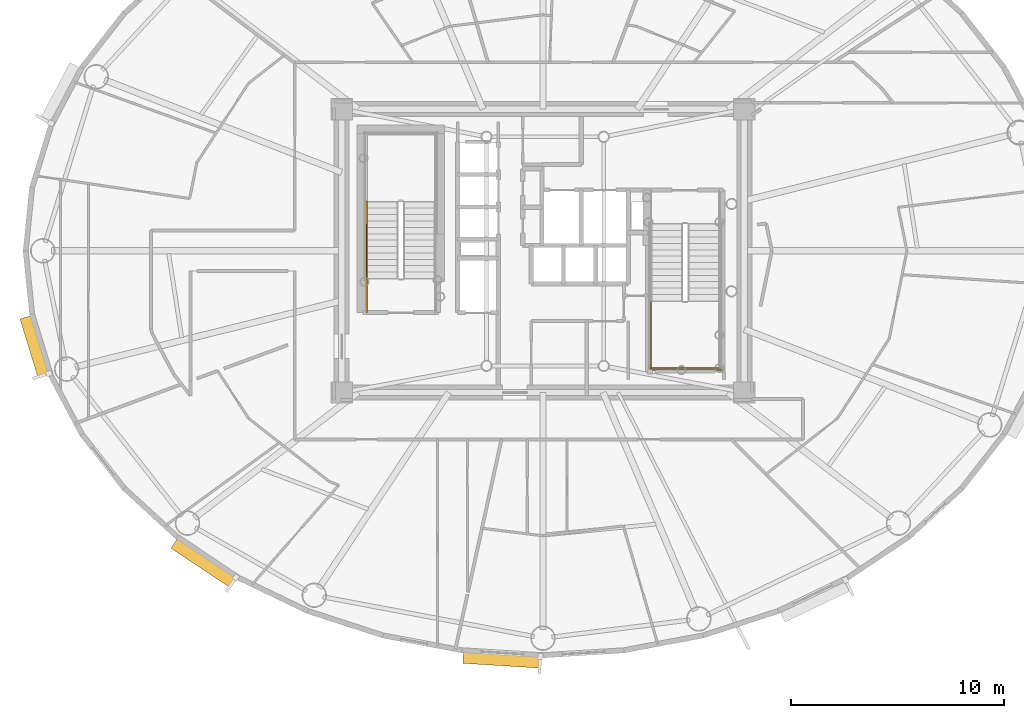
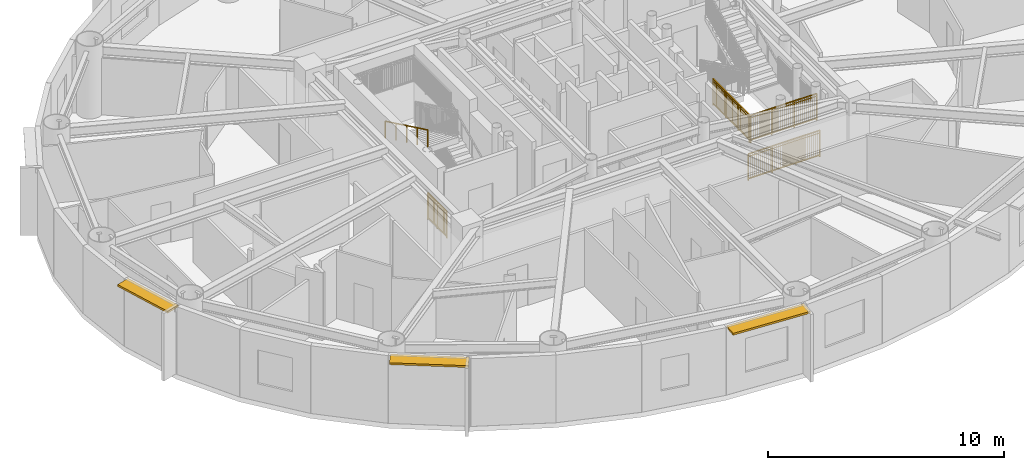
# One storey, part 13 of 20: 5 railings, 3 shading devices.
"""IFC4 building model written with IfcOpenShell, lengths in metres."""

from ifc_helpers import new_model, si_unit, direction, frame, origin, origin_2d, place, context, subcontext, project, spatial, rectangle, extrude, source, transform, mapped, material, layer, layer_set, type_object, element, save


model = new_model("IFC4")

# Units and contexts
model_context = context("Model", 3, precision=1e-05, world=origin(), true_north=direction((0.0, 1.0)))
body_context = subcontext(model_context, "Body", "Model", "MODEL_VIEW")
ifc_project = project(units=[si_unit("LENGTHUNIT", "METRE"), si_unit("AREAUNIT", "SQUARE_METRE"), si_unit("VOLUMEUNIT", "CUBIC_METRE"), si_unit("PLANEANGLEUNIT", "RADIAN"), si_unit("MASSUNIT", "GRAM", prefix="KILO")], contexts=[model_context])

# Site, building, storey
site_placement = place(None, origin())
site = spatial("IfcSite", under=ifc_project, at=site_placement, CompositionType="ELEMENT")
building_placement = place(site_placement, origin())
building = spatial("IfcBuilding", under=site, at=building_placement, Name="Linh Dai School and Residence Tower", CompositionType="ELEMENT")
storey_placement = place(building_placement, frame((0.0, 0.0, 221.550048828125)))
storey = spatial("IfcBuildingStorey", under=building, at=storey_placement, Name="L54", CompositionType="ELEMENT", Elevation=221.550048828125)

# Shading devices
ifc_material_1 = material(Name="Terracotta Ceramic Sunshade", Category="masonry")
ifc_layer = layer(ifc_material_1, 0.10009765625)
ifc_layer_set = layer_set([ifc_layer], Name="Terracotta Ceramic Sunshade")
shading_device_type = type_object("IfcShadingDeviceType", Name="SHD-TC-650", PredefinedType="USERDEFINED", material=ifc_layer_set)
shared_shape_1 = source(origin(), body_context, "Body", "SweptSolid", [
    extrude(rectangle(XDim=2.90380859375, YDim=0.64990234375, at=origin_2d()), origin(), (0.0, 0.0, 1.0), 0.10009765625),
])
shading_device_1_placement = place(storey_placement, frame((12.19384765625, 22.506591796875, 3.3798828125), z_axis=(0.0, 0.0, 1.0), x_axis=(-0.2931574026, 0.956064190994, 0.0)))
element("IfcShadingDevice", 1, at=shading_device_1_placement, inside=storey, type_object=shading_device_type, Name="L54 Terracotta Horizontal Sunshade Band 22", ObjectType="SUNSHADE", PredefinedType="USERDEFINED", context=body_context, shape_type="MappedRepresentation", body=[
    mapped(shared_shape_1, transform((0.0, 0.0, 0.0), x_axis=(1.0, 0.0, 0.0), y_axis=(0.0, 1.0, 0.0), z_axis=(0.0, 0.0, 1.0), scale=1.0)),
])
shared_shape_2 = source(origin(), body_context, "Body", "SweptSolid", [
    extrude(rectangle(XDim=3.3447265625, YDim=0.64990234375, at=origin_2d()), origin(), (0.0, 0.0, 1.0), 0.10009765625),
])
shading_device_2_placement = place(storey_placement, frame((20.11328125, 12.3837890625, 3.3798828125), z_axis=(0.0, 0.0, 1.0), x_axis=(-0.831257719597, 0.555887222025, 0.0)))
element("IfcShadingDevice", 2, at=shading_device_2_placement, inside=storey, type_object=shading_device_type, Name="L54 Terracotta Horizontal Sunshade Band 26", ObjectType="SUNSHADE", PredefinedType="USERDEFINED", context=body_context, shape_type="MappedRepresentation", body=[
    mapped(shared_shape_2, transform((0.0, 0.0, 0.0), x_axis=(1.0, 0.0, 0.0), y_axis=(0.0, 1.0, 0.0), z_axis=(0.0, 0.0, 1.0), scale=1.0)),
])
shared_shape_3 = source(origin(), body_context, "Body", "SweptSolid", [
    extrude(rectangle(XDim=3.656494140625, YDim=0.64990234375, at=origin_2d()), origin(), (0.0, 0.0, 1.0), 0.10009765625),
])
shading_device_3_placement = place(storey_placement, frame((34.08154296875, 7.852783203125, 3.3798828125), z_axis=(0.0, 0.0, 1.0), x_axis=(-0.998106809974, 0.061504437922, 0.0)))
element("IfcShadingDevice", 3, at=shading_device_3_placement, inside=storey, type_object=shading_device_type, Name="L54 Terracotta Horizontal Sunshade Band 30", ObjectType="SUNSHADE", PredefinedType="USERDEFINED", context=body_context, shape_type="MappedRepresentation", body=[
    mapped(shared_shape_3, transform((0.0, 0.0, 0.0), x_axis=(1.0, 0.0, 0.0), y_axis=(0.0, 1.0, 0.0), z_axis=(0.0, 0.0, 1.0), scale=1.0)),
])

# Railings
ifc_material_2 = material(Name="Structural Steel S355JR", Category="steel")
railing_type_1 = type_object("IfcRailingType", Name="RL-ST-GUARD-1400", PredefinedType="GUARDRAIL", material=ifc_material_2)
shared_shape_4 = source(origin(), body_context, "Body", "SweptSolid", [
    extrude(rectangle(XDim=0.048095703125, YDim=0.048095703125, at=origin_2d()), frame((0.0, 0.0, 1.3759765625), z_axis=(0.0, 1.0, 0.0), x_axis=(-1.0, 0.0, 0.0)), (0.0, 0.0, 1.0), 1.599853515625),
    extrude(rectangle(XDim=0.048095703125, YDim=0.048095703125, at=origin_2d()), frame((0.0, 0.0, 0.10009765625), z_axis=(0.0, 1.0, 0.0), x_axis=(-1.0, 0.0, 0.0)), (0.0, 0.0, 1.0), 1.599853515625),
    extrude(rectangle(XDim=0.030029296875, YDim=0.030029296875, at=origin_2d()), frame((0.0, 0.0, 1.239990234375), z_axis=(0.0, 1.0, 0.0), x_axis=(-1.0, 0.0, 0.0)), (0.0, 0.0, 1.0), 1.599853515625),
    extrude(rectangle(XDim=0.02001953125, YDim=0.02001953125, at=origin_2d()), frame((0.0, 0.093994140625, 0.10009765625)), (0.0, 0.0, 1.0), 1.251708984375),
    extrude(rectangle(XDim=0.02001953125, YDim=0.02001953125, at=origin_2d()), frame((0.0, 0.188232421875, 0.10009765625)), (0.0, 0.0, 1.0), 1.251708984375),
    extrude(rectangle(XDim=0.02001953125, YDim=0.02001953125, at=origin_2d()), frame((0.0, 0.2822265625, 0.10009765625)), (0.0, 0.0, 1.0), 1.251708984375),
    extrude(rectangle(XDim=0.02001953125, YDim=0.02001953125, at=origin_2d()), frame((0.0, 0.37646484375, 0.10009765625)), (0.0, 0.0, 1.0), 1.251708984375),
    extrude(rectangle(XDim=0.02001953125, YDim=0.02001953125, at=origin_2d()), frame((0.0, 0.470458984375, 0.10009765625)), (0.0, 0.0, 1.0), 1.251708984375),
    extrude(rectangle(XDim=0.02001953125, YDim=0.02001953125, at=origin_2d()), frame((0.0, 0.564697265625, 0.10009765625)), (0.0, 0.0, 1.0), 1.251708984375),
    extrude(rectangle(XDim=0.02001953125, YDim=0.02001953125, at=origin_2d()), frame((0.0, 0.65869140625, 0.10009765625)), (0.0, 0.0, 1.0), 1.251708984375),
    extrude(rectangle(XDim=0.02001953125, YDim=0.02001953125, at=origin_2d()), frame((0.0, 0.7529296875, 0.10009765625)), (0.0, 0.0, 1.0), 1.251708984375),
    extrude(rectangle(XDim=0.02001953125, YDim=0.02001953125, at=origin_2d()), frame((0.0, 0.846923828125, 0.10009765625)), (0.0, 0.0, 1.0), 1.251708984375),
    extrude(rectangle(XDim=0.02001953125, YDim=0.02001953125, at=origin_2d()), frame((0.0, 0.941162109375, 0.10009765625)), (0.0, 0.0, 1.0), 1.251708984375),
    extrude(rectangle(XDim=0.02001953125, YDim=0.02001953125, at=origin_2d()), frame((0.0, 1.03515625, 0.10009765625)), (0.0, 0.0, 1.0), 1.251708984375),
    extrude(rectangle(XDim=0.02001953125, YDim=0.02001953125, at=origin_2d()), frame((0.0, 1.12939453125, 0.10009765625)), (0.0, 0.0, 1.0), 1.251708984375),
    extrude(rectangle(XDim=0.02001953125, YDim=0.02001953125, at=origin_2d()), frame((0.0, 1.223388671875, 0.10009765625)), (0.0, 0.0, 1.0), 1.251708984375),
    extrude(rectangle(XDim=0.02001953125, YDim=0.02001953125, at=origin_2d()), frame((0.0, 1.317626953125, 0.10009765625)), (0.0, 0.0, 1.0), 1.251708984375),
    extrude(rectangle(XDim=0.02001953125, YDim=0.02001953125, at=origin_2d()), frame((0.0, 1.41162109375, 0.10009765625)), (0.0, 0.0, 1.0), 1.251708984375),
    extrude(rectangle(XDim=0.02001953125, YDim=0.02001953125, at=origin_2d()), frame((0.0, 1.505859375, 0.10009765625)), (0.0, 0.0, 1.0), 1.251708984375),
    extrude(rectangle(XDim=0.0419921875, YDim=0.0419921875, at=origin_2d()), origin(), (0.0, 0.0, 1.0), 1.3759765625),
    extrude(rectangle(XDim=0.0419921875, YDim=0.0419921875, at=origin_2d()), frame((0.0, 0.7998046875, 0.0)), (0.0, 0.0, 1.0), 1.3759765625),
    extrude(rectangle(XDim=0.0419921875, YDim=0.0419921875, at=origin_2d()), frame((0.0, 1.599853515625, 0.0)), (0.0, 0.0, 1.0), 1.3759765625),
])
railing_1_placement = place(storey_placement, frame((27.72998046875, 24.10009765625, 0.0)))
element("IfcRailing", 4, at=railing_1_placement, inside=storey, type_object=railing_type_1, Name="L54 ST1 stair guard 9", PredefinedType="GUARDRAIL", context=body_context, shape_type="MappedRepresentation", body=[
    mapped(shared_shape_4, transform((0.0, 0.0, 0.0), x_axis=(1.0, 0.0, 0.0), y_axis=(0.0, 1.0, 0.0), z_axis=(0.0, 0.0, 1.0), scale=1.0)),
])
ifc_material_3 = material(Name="Brushed Stainless Steel Handrail", Category="steel")
railing_type_2 = type_object("IfcRailingType", Name="RL-ST-HANDRAIL-900", PredefinedType="HANDRAIL", material=ifc_material_3)
shared_shape_5 = source(origin(), body_context, "Body", "SweptSolid", [
    extrude(rectangle(XDim=0.048095703125, YDim=0.048095703125, at=origin_2d()), frame((0.0, 0.0, 0.8759765625), z_axis=(0.0, -0.901262522062, 0.433273431364), x_axis=(1.0, 0.0, 0.0)), (0.0, 0.0, 1.0), 3.994384765625),
    extrude(rectangle(XDim=0.0419921875, YDim=0.0419921875, at=origin_2d()), origin(), (0.0, 0.0, 1.0), 0.8759765625),
    extrude(rectangle(XDim=0.0419921875, YDim=0.0419921875, at=origin_2d()), frame((0.0, -0.89990234375, 0.4326171875)), (0.0, 0.0, 1.0), 0.8759765625),
    extrude(rectangle(XDim=0.0419921875, YDim=0.0419921875, at=origin_2d()), frame((0.0, -1.800048828125, 0.865234375)), (0.0, 0.0, 1.0), 0.8759765625),
    extrude(rectangle(XDim=0.0419921875, YDim=0.0419921875, at=origin_2d()), frame((0.0, -2.7001953125, 1.298095703125)), (0.0, 0.0, 1.0), 0.8759765625),
    extrude(rectangle(XDim=0.0419921875, YDim=0.0419921875, at=origin_2d()), frame((0.0, -3.60009765625, 1.730712890625)), (0.0, 0.0, 1.0), 0.8759765625),
])
railing_2_placement = place(storey_placement, frame((27.72998046875, 29.300048828125, 2.019287109375)))
element("IfcRailing", 5, at=railing_2_placement, inside=storey, type_object=railing_type_2, Name="L54 ST1 stair handrail 2", PredefinedType="HANDRAIL", context=body_context, shape_type="MappedRepresentation", body=[
    mapped(shared_shape_5, transform((0.0, 0.0, 0.0), x_axis=(1.0, 0.0, 0.0), y_axis=(0.0, 1.0, 0.0), z_axis=(0.0, 0.0, 1.0), scale=1.0)),
])
shared_shape_6 = source(origin(), body_context, "Body", "SweptSolid", [
    extrude(rectangle(XDim=0.048095703125, YDim=0.048095703125, at=origin_2d()), frame((0.0, 0.0, 1.3759765625), z_axis=(1.0, 0.0, 0.0), x_axis=(0.0, 1.0, 0.0)), (0.0, 0.0, 1.0), 3.300048828125),
    extrude(rectangle(XDim=0.048095703125, YDim=0.048095703125, at=origin_2d()), frame((0.0, 0.0, 0.10009765625), z_axis=(1.0, 0.0, 0.0), x_axis=(0.0, 1.0, 0.0)), (0.0, 0.0, 1.0), 3.300048828125),
    extrude(rectangle(XDim=0.030029296875, YDim=0.030029296875, at=origin_2d()), frame((0.0, 0.0, 1.239990234375), z_axis=(1.0, 0.0, 0.0), x_axis=(0.0, 1.0, 0.0)), (0.0, 0.0, 1.0), 3.300048828125),
    extrude(rectangle(XDim=0.02001953125, YDim=0.02001953125, at=origin_2d()), frame((0.09716796875, 0.0, 0.10009765625)), (0.0, 0.0, 1.0), 1.251708984375),
    extrude(rectangle(XDim=0.02001953125, YDim=0.02001953125, at=origin_2d()), frame((0.194091796875, 0.0, 0.10009765625)), (0.0, 0.0, 1.0), 1.251708984375),
    extrude(rectangle(XDim=0.02001953125, YDim=0.02001953125, at=origin_2d()), frame((0.291259765625, 0.0, 0.10009765625)), (0.0, 0.0, 1.0), 1.251708984375),
    extrude(rectangle(XDim=0.02001953125, YDim=0.02001953125, at=origin_2d()), frame((0.38818359375, 0.0, 0.10009765625)), (0.0, 0.0, 1.0), 1.251708984375),
    extrude(rectangle(XDim=0.02001953125, YDim=0.02001953125, at=origin_2d()), frame((0.4853515625, 0.0, 0.10009765625)), (0.0, 0.0, 1.0), 1.251708984375),
    extrude(rectangle(XDim=0.02001953125, YDim=0.02001953125, at=origin_2d()), frame((0.582275390625, 0.0, 0.10009765625)), (0.0, 0.0, 1.0), 1.251708984375),
    extrude(rectangle(XDim=0.02001953125, YDim=0.02001953125, at=origin_2d()), frame((0.679443359375, 0.0, 0.10009765625)), (0.0, 0.0, 1.0), 1.251708984375),
    extrude(rectangle(XDim=0.02001953125, YDim=0.02001953125, at=origin_2d()), frame((0.7763671875, 0.0, 0.10009765625)), (0.0, 0.0, 1.0), 1.251708984375),
    extrude(rectangle(XDim=0.02001953125, YDim=0.02001953125, at=origin_2d()), frame((0.87353515625, 0.0, 0.10009765625)), (0.0, 0.0, 1.0), 1.251708984375),
    extrude(rectangle(XDim=0.02001953125, YDim=0.02001953125, at=origin_2d()), frame((0.970703125, 0.0, 0.10009765625)), (0.0, 0.0, 1.0), 1.251708984375),
    extrude(rectangle(XDim=0.02001953125, YDim=0.02001953125, at=origin_2d()), frame((1.164794921875, 0.0, 0.10009765625)), (0.0, 0.0, 1.0), 1.251708984375),
    extrude(rectangle(XDim=0.02001953125, YDim=0.02001953125, at=origin_2d()), frame((1.26171875, 0.0, 0.10009765625)), (0.0, 0.0, 1.0), 1.251708984375),
    extrude(rectangle(XDim=0.02001953125, YDim=0.02001953125, at=origin_2d()), frame((1.35888671875, 0.0, 0.10009765625)), (0.0, 0.0, 1.0), 1.251708984375),
    extrude(rectangle(XDim=0.02001953125, YDim=0.02001953125, at=origin_2d()), frame((1.455810546875, 0.0, 0.10009765625)), (0.0, 0.0, 1.0), 1.251708984375),
    extrude(rectangle(XDim=0.02001953125, YDim=0.02001953125, at=origin_2d()), frame((1.552978515625, 0.0, 0.10009765625)), (0.0, 0.0, 1.0), 1.251708984375),
    extrude(rectangle(XDim=0.02001953125, YDim=0.02001953125, at=origin_2d()), frame((1.64990234375, 0.0, 0.10009765625)), (0.0, 0.0, 1.0), 1.251708984375),
    extrude(rectangle(XDim=0.02001953125, YDim=0.02001953125, at=origin_2d()), frame((1.7470703125, 0.0, 0.10009765625)), (0.0, 0.0, 1.0), 1.251708984375),
    extrude(rectangle(XDim=0.02001953125, YDim=0.02001953125, at=origin_2d()), frame((1.84423828125, 0.0, 0.10009765625)), (0.0, 0.0, 1.0), 1.251708984375),
    extrude(rectangle(XDim=0.02001953125, YDim=0.02001953125, at=origin_2d()), frame((1.941162109375, 0.0, 0.10009765625)), (0.0, 0.0, 1.0), 1.251708984375),
    extrude(rectangle(XDim=0.02001953125, YDim=0.02001953125, at=origin_2d()), frame((2.038330078125, 0.0, 0.10009765625)), (0.0, 0.0, 1.0), 1.251708984375),
    extrude(rectangle(XDim=0.02001953125, YDim=0.02001953125, at=origin_2d()), frame((2.13525390625, 0.0, 0.10009765625)), (0.0, 0.0, 1.0), 1.251708984375),
    extrude(rectangle(XDim=0.02001953125, YDim=0.02001953125, at=origin_2d()), frame((2.329345703125, 0.0, 0.10009765625)), (0.0, 0.0, 1.0), 1.251708984375),
    extrude(rectangle(XDim=0.02001953125, YDim=0.02001953125, at=origin_2d()), frame((2.426513671875, 0.0, 0.10009765625)), (0.0, 0.0, 1.0), 1.251708984375),
    extrude(rectangle(XDim=0.02001953125, YDim=0.02001953125, at=origin_2d()), frame((2.523681640625, 0.0, 0.10009765625)), (0.0, 0.0, 1.0), 1.251708984375),
    extrude(rectangle(XDim=0.02001953125, YDim=0.02001953125, at=origin_2d()), frame((2.62060546875, 0.0, 0.10009765625)), (0.0, 0.0, 1.0), 1.251708984375),
    extrude(rectangle(XDim=0.02001953125, YDim=0.02001953125, at=origin_2d()), frame((2.7177734375, 0.0, 0.10009765625)), (0.0, 0.0, 1.0), 1.251708984375),
    extrude(rectangle(XDim=0.02001953125, YDim=0.02001953125, at=origin_2d()), frame((2.814697265625, 0.0, 0.10009765625)), (0.0, 0.0, 1.0), 1.251708984375),
    extrude(rectangle(XDim=0.02001953125, YDim=0.02001953125, at=origin_2d()), frame((2.911865234375, 0.0, 0.10009765625)), (0.0, 0.0, 1.0), 1.251708984375),
    extrude(rectangle(XDim=0.02001953125, YDim=0.02001953125, at=origin_2d()), frame((3.0087890625, 0.0, 0.10009765625)), (0.0, 0.0, 1.0), 1.251708984375),
    extrude(rectangle(XDim=0.02001953125, YDim=0.02001953125, at=origin_2d()), frame((3.10595703125, 0.0, 0.10009765625)), (0.0, 0.0, 1.0), 1.251708984375),
    extrude(rectangle(XDim=0.02001953125, YDim=0.02001953125, at=origin_2d()), frame((3.202880859375, 0.0, 0.10009765625)), (0.0, 0.0, 1.0), 1.251708984375),
    extrude(rectangle(XDim=0.0419921875, YDim=0.0419921875, at=origin_2d()), origin(), (0.0, 0.0, 1.0), 1.3759765625),
    extrude(rectangle(XDim=0.0419921875, YDim=0.0419921875, at=origin_2d()), frame((1.10009765625, 0.0, 0.0)), (0.0, 0.0, 1.0), 1.3759765625),
    extrude(rectangle(XDim=0.0419921875, YDim=0.0419921875, at=origin_2d()), frame((2.199951171875, 0.0, 0.0)), (0.0, 0.0, 1.0), 1.3759765625),
    extrude(rectangle(XDim=0.0419921875, YDim=0.0419921875, at=origin_2d()), frame((3.300048828125, 0.0, 0.0)), (0.0, 0.0, 1.0), 1.3759765625),
])
railing_3_placement = place(storey_placement, frame((41.02001953125, 21.5, 1.875)))
element("IfcRailing", 6, at=railing_3_placement, inside=storey, type_object=railing_type_1, Name="L54 ST2 stair guard 5", PredefinedType="GUARDRAIL", context=body_context, shape_type="MappedRepresentation", body=[
    mapped(shared_shape_6, transform((0.0, 0.0, 0.0), x_axis=(1.0, 0.0, 0.0), y_axis=(0.0, 1.0, 0.0), z_axis=(0.0, 0.0, 1.0), scale=1.0)),
])
shared_shape_7 = source(origin(), body_context, "Body", "SweptSolid", [
    extrude(rectangle(XDim=0.048095703125, YDim=0.048095703125, at=origin_2d()), frame((0.0, 0.0, 1.3759765625), z_axis=(1.0, 0.0, 0.0), x_axis=(0.0, 1.0, 0.0)), (0.0, 0.0, 1.0), 3.5),
    extrude(rectangle(XDim=0.048095703125, YDim=0.048095703125, at=origin_2d()), frame((0.0, 0.0, 0.10009765625), z_axis=(1.0, 0.0, 0.0), x_axis=(0.0, 1.0, 0.0)), (0.0, 0.0, 1.0), 3.5),
    extrude(rectangle(XDim=0.030029296875, YDim=0.030029296875, at=origin_2d()), frame((0.0, 0.0, 1.239990234375), z_axis=(1.0, 0.0, 0.0), x_axis=(0.0, 1.0, 0.0)), (0.0, 0.0, 1.0), 3.5),
    extrude(rectangle(XDim=0.02001953125, YDim=0.02001953125, at=origin_2d()), frame((0.09716796875, 0.0, 0.10009765625)), (0.0, 0.0, 1.0), 1.251708984375),
    extrude(rectangle(XDim=0.02001953125, YDim=0.02001953125, at=origin_2d()), frame((0.1943359375, 0.0, 0.10009765625)), (0.0, 0.0, 1.0), 1.251708984375),
    extrude(rectangle(XDim=0.02001953125, YDim=0.02001953125, at=origin_2d()), frame((0.291748046875, 0.0, 0.10009765625)), (0.0, 0.0, 1.0), 1.251708984375),
    extrude(rectangle(XDim=0.02001953125, YDim=0.02001953125, at=origin_2d()), frame((0.388916015625, 0.0, 0.10009765625)), (0.0, 0.0, 1.0), 1.251708984375),
    extrude(rectangle(XDim=0.02001953125, YDim=0.02001953125, at=origin_2d()), frame((0.486083984375, 0.0, 0.10009765625)), (0.0, 0.0, 1.0), 1.251708984375),
    extrude(rectangle(XDim=0.02001953125, YDim=0.02001953125, at=origin_2d()), frame((0.583251953125, 0.0, 0.10009765625)), (0.0, 0.0, 1.0), 1.251708984375),
    extrude(rectangle(XDim=0.02001953125, YDim=0.02001953125, at=origin_2d()), frame((0.6806640625, 0.0, 0.10009765625)), (0.0, 0.0, 1.0), 1.251708984375),
    extrude(rectangle(XDim=0.02001953125, YDim=0.02001953125, at=origin_2d()), frame((0.77783203125, 0.0, 0.10009765625)), (0.0, 0.0, 1.0), 1.251708984375),
    extrude(rectangle(XDim=0.02001953125, YDim=0.02001953125, at=origin_2d()), frame((0.875, 0.0, 0.10009765625)), (0.0, 0.0, 1.0), 1.251708984375),
    extrude(rectangle(XDim=0.02001953125, YDim=0.02001953125, at=origin_2d()), frame((0.97216796875, 0.0, 0.10009765625)), (0.0, 0.0, 1.0), 1.251708984375),
    extrude(rectangle(XDim=0.02001953125, YDim=0.02001953125, at=origin_2d()), frame((1.0693359375, 0.0, 0.10009765625)), (0.0, 0.0, 1.0), 1.251708984375),
    extrude(rectangle(XDim=0.02001953125, YDim=0.02001953125, at=origin_2d()), frame((1.263916015625, 0.0, 0.10009765625)), (0.0, 0.0, 1.0), 1.251708984375),
    extrude(rectangle(XDim=0.02001953125, YDim=0.02001953125, at=origin_2d()), frame((1.361083984375, 0.0, 0.10009765625)), (0.0, 0.0, 1.0), 1.251708984375),
    extrude(rectangle(XDim=0.02001953125, YDim=0.02001953125, at=origin_2d()), frame((1.458251953125, 0.0, 0.10009765625)), (0.0, 0.0, 1.0), 1.251708984375),
    extrude(rectangle(XDim=0.02001953125, YDim=0.02001953125, at=origin_2d()), frame((1.5556640625, 0.0, 0.10009765625)), (0.0, 0.0, 1.0), 1.251708984375),
    extrude(rectangle(XDim=0.02001953125, YDim=0.02001953125, at=origin_2d()), frame((1.65283203125, 0.0, 0.10009765625)), (0.0, 0.0, 1.0), 1.251708984375),
    extrude(rectangle(XDim=0.02001953125, YDim=0.02001953125, at=origin_2d()), frame((1.75, 0.0, 0.10009765625)), (0.0, 0.0, 1.0), 1.251708984375),
    extrude(rectangle(XDim=0.02001953125, YDim=0.02001953125, at=origin_2d()), frame((1.84716796875, 0.0, 0.10009765625)), (0.0, 0.0, 1.0), 1.251708984375),
    extrude(rectangle(XDim=0.02001953125, YDim=0.02001953125, at=origin_2d()), frame((1.9443359375, 0.0, 0.10009765625)), (0.0, 0.0, 1.0), 1.251708984375),
    extrude(rectangle(XDim=0.02001953125, YDim=0.02001953125, at=origin_2d()), frame((2.041748046875, 0.0, 0.10009765625)), (0.0, 0.0, 1.0), 1.251708984375),
    extrude(rectangle(XDim=0.02001953125, YDim=0.02001953125, at=origin_2d()), frame((2.138916015625, 0.0, 0.10009765625)), (0.0, 0.0, 1.0), 1.251708984375),
    extrude(rectangle(XDim=0.02001953125, YDim=0.02001953125, at=origin_2d()), frame((2.236083984375, 0.0, 0.10009765625)), (0.0, 0.0, 1.0), 1.251708984375),
    extrude(rectangle(XDim=0.02001953125, YDim=0.02001953125, at=origin_2d()), frame((2.4306640625, 0.0, 0.10009765625)), (0.0, 0.0, 1.0), 1.251708984375),
    extrude(rectangle(XDim=0.02001953125, YDim=0.02001953125, at=origin_2d()), frame((2.52783203125, 0.0, 0.10009765625)), (0.0, 0.0, 1.0), 1.251708984375),
    extrude(rectangle(XDim=0.02001953125, YDim=0.02001953125, at=origin_2d()), frame((2.625, 0.0, 0.10009765625)), (0.0, 0.0, 1.0), 1.251708984375),
    extrude(rectangle(XDim=0.02001953125, YDim=0.02001953125, at=origin_2d()), frame((2.72216796875, 0.0, 0.10009765625)), (0.0, 0.0, 1.0), 1.251708984375),
    extrude(rectangle(XDim=0.02001953125, YDim=0.02001953125, at=origin_2d()), frame((2.8193359375, 0.0, 0.10009765625)), (0.0, 0.0, 1.0), 1.251708984375),
    extrude(rectangle(XDim=0.02001953125, YDim=0.02001953125, at=origin_2d()), frame((2.916748046875, 0.0, 0.10009765625)), (0.0, 0.0, 1.0), 1.251708984375),
    extrude(rectangle(XDim=0.02001953125, YDim=0.02001953125, at=origin_2d()), frame((3.013916015625, 0.0, 0.10009765625)), (0.0, 0.0, 1.0), 1.251708984375),
    extrude(rectangle(XDim=0.02001953125, YDim=0.02001953125, at=origin_2d()), frame((3.111083984375, 0.0, 0.10009765625)), (0.0, 0.0, 1.0), 1.251708984375),
    extrude(rectangle(XDim=0.02001953125, YDim=0.02001953125, at=origin_2d()), frame((3.208251953125, 0.0, 0.10009765625)), (0.0, 0.0, 1.0), 1.251708984375),
    extrude(rectangle(XDim=0.02001953125, YDim=0.02001953125, at=origin_2d()), frame((3.3056640625, 0.0, 0.10009765625)), (0.0, 0.0, 1.0), 1.251708984375),
    extrude(rectangle(XDim=0.02001953125, YDim=0.02001953125, at=origin_2d()), frame((3.40283203125, 0.0, 0.10009765625)), (0.0, 0.0, 1.0), 1.251708984375),
    extrude(rectangle(XDim=0.0419921875, YDim=0.0419921875, at=origin_2d()), origin(), (0.0, 0.0, 1.0), 1.3759765625),
    extrude(rectangle(XDim=0.0419921875, YDim=0.0419921875, at=origin_2d()), frame((1.166748046875, 0.0, 0.0)), (0.0, 0.0, 1.0), 1.3759765625),
    extrude(rectangle(XDim=0.0419921875, YDim=0.0419921875, at=origin_2d()), frame((2.333251953125, 0.0, 0.0)), (0.0, 0.0, 1.0), 1.3759765625),
    extrude(rectangle(XDim=0.0419921875, YDim=0.0419921875, at=origin_2d()), frame((3.5, 0.0, 0.0)), (0.0, 0.0, 1.0), 1.3759765625),
])
railing_4_placement = place(storey_placement, frame((40.919921875, 21.39990234375, 0.0)))
element("IfcRailing", 7, at=railing_4_placement, inside=storey, type_object=railing_type_1, Name="L54 ST2 stair guard 12", PredefinedType="GUARDRAIL", context=body_context, shape_type="MappedRepresentation", body=[
    mapped(shared_shape_7, transform((0.0, 0.0, 0.0), x_axis=(1.0, 0.0, 0.0), y_axis=(0.0, 1.0, 0.0), z_axis=(0.0, 0.0, 1.0), scale=1.0)),
])
shared_shape_8 = source(origin(), body_context, "Body", "SweptSolid", [
    extrude(rectangle(XDim=0.048095703125, YDim=0.048095703125, at=origin_2d()), frame((0.0, 0.0, 1.3759765625), z_axis=(0.0, -1.0, 0.0), x_axis=(1.0, 0.0, 0.0)), (0.0, 0.0, 1.0), 3.199951171875),
    extrude(rectangle(XDim=0.048095703125, YDim=0.048095703125, at=origin_2d()), frame((0.0, 0.0, 0.10009765625), z_axis=(0.0, -1.0, 0.0), x_axis=(1.0, 0.0, 0.0)), (0.0, 0.0, 1.0), 3.199951171875),
    extrude(rectangle(XDim=0.030029296875, YDim=0.030029296875, at=origin_2d()), frame((0.0, 0.0, 1.239990234375), z_axis=(0.0, -1.0, 0.0), x_axis=(1.0, 0.0, 0.0)), (0.0, 0.0, 1.0), 3.199951171875),
    extrude(rectangle(XDim=0.02001953125, YDim=0.02001953125, at=origin_2d()), frame((0.0, -0.096923828125, 0.10009765625)), (0.0, 0.0, 1.0), 1.251708984375),
    extrude(rectangle(XDim=0.02001953125, YDim=0.02001953125, at=origin_2d()), frame((0.0, -0.19384765625, 0.10009765625)), (0.0, 0.0, 1.0), 1.251708984375),
    extrude(rectangle(XDim=0.02001953125, YDim=0.02001953125, at=origin_2d()), frame((0.0, -0.291015625, 0.10009765625)), (0.0, 0.0, 1.0), 1.251708984375),
    extrude(rectangle(XDim=0.02001953125, YDim=0.02001953125, at=origin_2d()), frame((0.0, -0.387939453125, 0.10009765625)), (0.0, 0.0, 1.0), 1.251708984375),
    extrude(rectangle(XDim=0.02001953125, YDim=0.02001953125, at=origin_2d()), frame((0.0, -0.48486328125, 0.10009765625)), (0.0, 0.0, 1.0), 1.251708984375),
    extrude(rectangle(XDim=0.02001953125, YDim=0.02001953125, at=origin_2d()), frame((0.0, -0.581787109375, 0.10009765625)), (0.0, 0.0, 1.0), 1.251708984375),
    extrude(rectangle(XDim=0.02001953125, YDim=0.02001953125, at=origin_2d()), frame((0.0, -0.6787109375, 0.10009765625)), (0.0, 0.0, 1.0), 1.251708984375),
    extrude(rectangle(XDim=0.02001953125, YDim=0.02001953125, at=origin_2d()), frame((0.0, -0.775634765625, 0.10009765625)), (0.0, 0.0, 1.0), 1.251708984375),
    extrude(rectangle(XDim=0.02001953125, YDim=0.02001953125, at=origin_2d()), frame((0.0, -0.872802734375, 0.10009765625)), (0.0, 0.0, 1.0), 1.251708984375),
    extrude(rectangle(XDim=0.02001953125, YDim=0.02001953125, at=origin_2d()), frame((0.0, -0.9697265625, 0.10009765625)), (0.0, 0.0, 1.0), 1.251708984375),
    extrude(rectangle(XDim=0.02001953125, YDim=0.02001953125, at=origin_2d()), frame((0.0, -1.16357421875, 0.10009765625)), (0.0, 0.0, 1.0), 1.251708984375),
    extrude(rectangle(XDim=0.02001953125, YDim=0.02001953125, at=origin_2d()), frame((0.0, -1.260498046875, 0.10009765625)), (0.0, 0.0, 1.0), 1.251708984375),
    extrude(rectangle(XDim=0.02001953125, YDim=0.02001953125, at=origin_2d()), frame((0.0, -1.357666015625, 0.10009765625)), (0.0, 0.0, 1.0), 1.251708984375),
    extrude(rectangle(XDim=0.02001953125, YDim=0.02001953125, at=origin_2d()), frame((0.0, -1.45458984375, 0.10009765625)), (0.0, 0.0, 1.0), 1.251708984375),
    extrude(rectangle(XDim=0.02001953125, YDim=0.02001953125, at=origin_2d()), frame((0.0, -1.551513671875, 0.10009765625)), (0.0, 0.0, 1.0), 1.251708984375),
    extrude(rectangle(XDim=0.02001953125, YDim=0.02001953125, at=origin_2d()), frame((0.0, -1.6484375, 0.10009765625)), (0.0, 0.0, 1.0), 1.251708984375),
    extrude(rectangle(XDim=0.02001953125, YDim=0.02001953125, at=origin_2d()), frame((0.0, -1.745361328125, 0.10009765625)), (0.0, 0.0, 1.0), 1.251708984375),
    extrude(rectangle(XDim=0.02001953125, YDim=0.02001953125, at=origin_2d()), frame((0.0, -1.84228515625, 0.10009765625)), (0.0, 0.0, 1.0), 1.251708984375),
    extrude(rectangle(XDim=0.02001953125, YDim=0.02001953125, at=origin_2d()), frame((0.0, -1.939453125, 0.10009765625)), (0.0, 0.0, 1.0), 1.251708984375),
    extrude(rectangle(XDim=0.02001953125, YDim=0.02001953125, at=origin_2d()), frame((0.0, -2.036376953125, 0.10009765625)), (0.0, 0.0, 1.0), 1.251708984375),
    extrude(rectangle(XDim=0.02001953125, YDim=0.02001953125, at=origin_2d()), frame((0.0, -2.230224609375, 0.10009765625)), (0.0, 0.0, 1.0), 1.251708984375),
    extrude(rectangle(XDim=0.02001953125, YDim=0.02001953125, at=origin_2d()), frame((0.0, -2.3271484375, 0.10009765625)), (0.0, 0.0, 1.0), 1.251708984375),
    extrude(rectangle(XDim=0.02001953125, YDim=0.02001953125, at=origin_2d()), frame((0.0, -2.42431640625, 0.10009765625)), (0.0, 0.0, 1.0), 1.251708984375),
    extrude(rectangle(XDim=0.02001953125, YDim=0.02001953125, at=origin_2d()), frame((0.0, -2.521240234375, 0.10009765625)), (0.0, 0.0, 1.0), 1.251708984375),
    extrude(rectangle(XDim=0.02001953125, YDim=0.02001953125, at=origin_2d()), frame((0.0, -2.6181640625, 0.10009765625)), (0.0, 0.0, 1.0), 1.251708984375),
    extrude(rectangle(XDim=0.02001953125, YDim=0.02001953125, at=origin_2d()), frame((0.0, -2.715087890625, 0.10009765625)), (0.0, 0.0, 1.0), 1.251708984375),
    extrude(rectangle(XDim=0.02001953125, YDim=0.02001953125, at=origin_2d()), frame((0.0, -2.81201171875, 0.10009765625)), (0.0, 0.0, 1.0), 1.251708984375),
    extrude(rectangle(XDim=0.02001953125, YDim=0.02001953125, at=origin_2d()), frame((0.0, -2.908935546875, 0.10009765625)), (0.0, 0.0, 1.0), 1.251708984375),
    extrude(rectangle(XDim=0.02001953125, YDim=0.02001953125, at=origin_2d()), frame((0.0, -3.006103515625, 0.10009765625)), (0.0, 0.0, 1.0), 1.251708984375),
    extrude(rectangle(XDim=0.02001953125, YDim=0.02001953125, at=origin_2d()), frame((0.0, -3.10302734375, 0.10009765625)), (0.0, 0.0, 1.0), 1.251708984375),
    extrude(rectangle(XDim=0.0419921875, YDim=0.0419921875, at=origin_2d()), origin(), (0.0, 0.0, 1.0), 1.3759765625),
    extrude(rectangle(XDim=0.0419921875, YDim=0.0419921875, at=origin_2d()), frame((0.0, -1.066650390625, 0.0)), (0.0, 0.0, 1.0), 1.3759765625),
    extrude(rectangle(XDim=0.0419921875, YDim=0.0419921875, at=origin_2d()), frame((0.0, -2.13330078125, 0.0)), (0.0, 0.0, 1.0), 1.3759765625),
    extrude(rectangle(XDim=0.0419921875, YDim=0.0419921875, at=origin_2d()), frame((0.0, -3.199951171875, 0.0)), (0.0, 0.0, 1.0), 1.3759765625),
])
railing_5_placement = place(storey_placement, frame((41.070068359375, 24.64990234375, 1.875)))
element("IfcRailing", 8, at=railing_5_placement, inside=storey, type_object=railing_type_1, Name="L54 ST2 stair guard 3", PredefinedType="GUARDRAIL", context=body_context, shape_type="MappedRepresentation", body=[
    mapped(shared_shape_8, transform((0.0, 0.0, 0.0), x_axis=(1.0, 0.0, 0.0), y_axis=(0.0, 1.0, 0.0), z_axis=(0.0, 0.0, 1.0), scale=1.0)),
])

save(model, "model.ifc")
